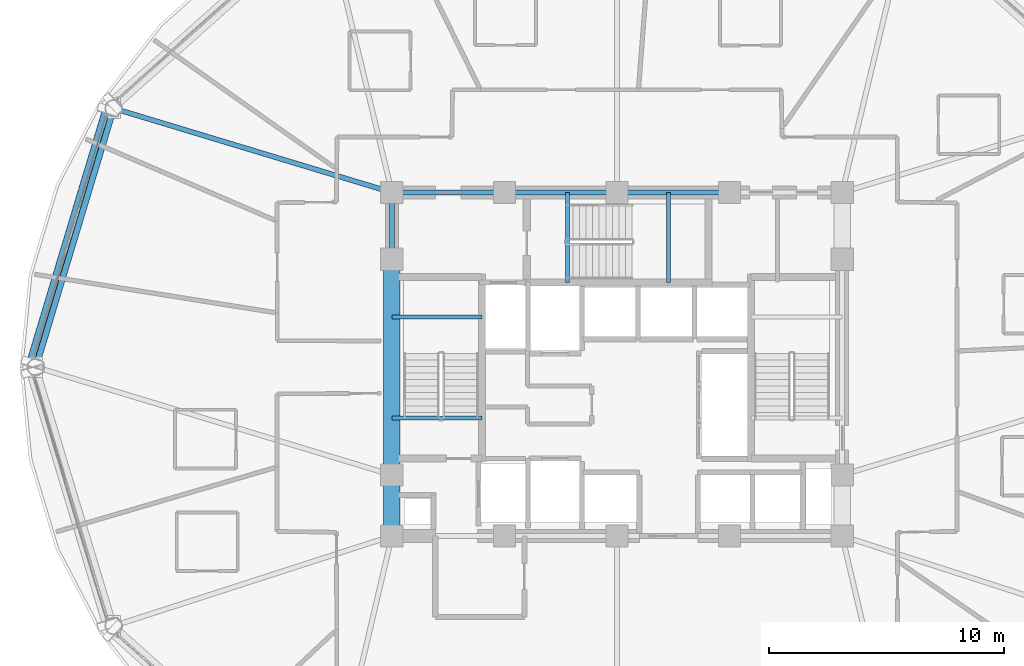
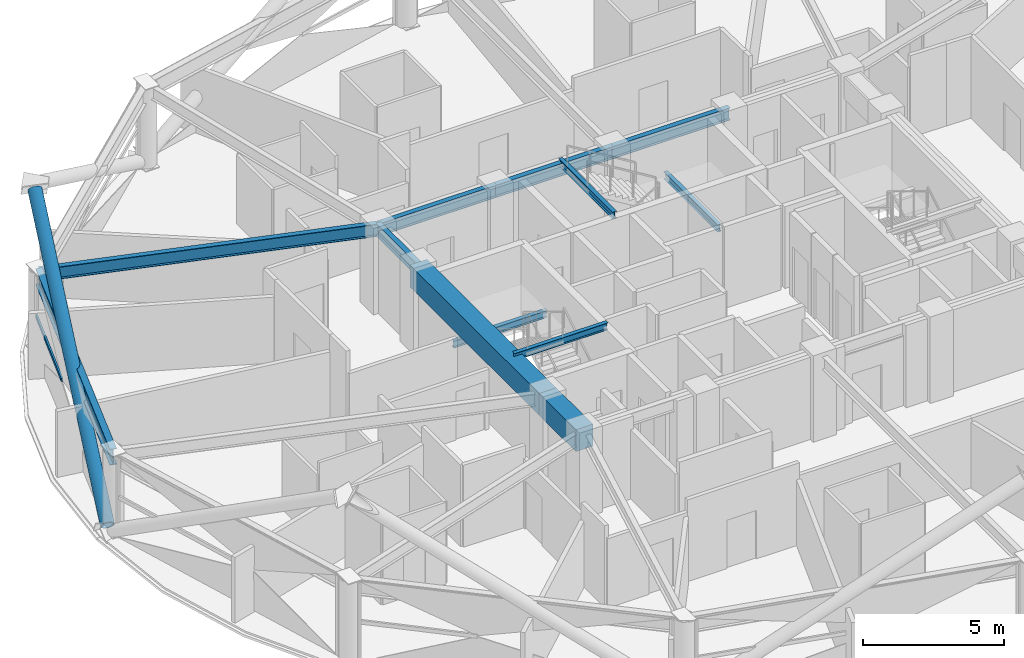
# One storey, part 7 of 29: 12 beams, 2 members, 1 element without a shape of its own.
"""IFC4 building model written with IfcOpenShell, lengths in metres."""

from ifc_helpers import new_model, si_unit, direction, frame, origin, origin_2d, place, context, subcontext, project, spatial, rectangle, hollow_rectangle, hollow_circle, i_section, extrude, material, layer, layer_set, material_profile, profile_set, type_object, element, aggregate, save


model = new_model("IFC4")

# Units and contexts
model_context = context("Model", 3, precision=1e-05, world=origin(), true_north=direction((0.0, 1.0)))
body_context = subcontext(model_context, "Body", "Model", "MODEL_VIEW")
ifc_project = project(units=[si_unit("LENGTHUNIT", "METRE"), si_unit("AREAUNIT", "SQUARE_METRE"), si_unit("VOLUMEUNIT", "CUBIC_METRE"), si_unit("PLANEANGLEUNIT", "RADIAN"), si_unit("MASSUNIT", "GRAM", prefix="KILO")], contexts=[model_context])

# Site, building, storey
site_placement = place(None, origin())
site = spatial("IfcSite", under=ifc_project, at=site_placement, CompositionType="ELEMENT")
building_placement = place(site_placement, origin())
building = spatial("IfcBuilding", under=site, at=building_placement, Name="Vantalir Tower", CompositionType="ELEMENT")
storey_placement = place(building_placement, frame((0.0, 0.0, 149.699951171875)))
storey = spatial("IfcBuildingStorey", under=building, at=storey_placement, Name="L37", CompositionType="ELEMENT", Elevation=149.699951171875)

# Beams
ifc_material_1 = material(Name="Concrete C60/75", Category="concrete")
ifc_material_profile_1 = material_profile(ifc_material_1, rectangle(XDim=0.699951171875, YDim=0.949951171875, at=origin_2d()), Name="Concrete C60/75")
ifc_profile_set_1 = profile_set([ifc_material_profile_1], Name="Concrete C60/75")
beam_type_1 = type_object("IfcBeamType", Name="BM-CB-700x950", PredefinedType="USERDEFINED", material=ifc_profile_set_1)
beam_1_placement = place(storey_placement, frame((21.89990234375, 29.60009765625, 3.094970703125), z_axis=(0.0, -1.0, 0.0), x_axis=(1.0, 0.0, 0.0)))
element("IfcBeam", 1, at=beam_1_placement, inside=storey, type_object=beam_type_1, Name="L37 Core Coupling Girder 13", ObjectType="GIRDER", PredefinedType="USERDEFINED", context=body_context, shape_type="SweptSolid", body=[
    extrude(rectangle(XDim=0.699951171875, YDim=0.949951171875, at=origin_2d()), origin(), (0.0, 0.0, 1.0), 9.2001953125),
])
beam_2_placement = place(storey_placement, frame((21.89990234375, 20.39990234375, 3.094970703125), z_axis=(0.0, -1.0, 0.0), x_axis=(1.0, 0.0, 0.0)))
element("IfcBeam", 2, at=beam_2_placement, inside=storey, type_object=beam_type_1, Name="L37 Core Coupling Girder 14", ObjectType="GIRDER", PredefinedType="USERDEFINED", context=body_context, shape_type="SweptSolid", body=[
    extrude(rectangle(XDim=0.699951171875, YDim=0.949951171875, at=origin_2d()), origin(), (0.0, 0.0, 1.0), 2.599853515625),
])
ifc_material_2 = material(Name="Steel S355", Category="steel")
ifc_material_profile_2 = material_profile(ifc_material_2, i_section(OverallWidth=0.166015625, OverallDepth=0.306884765625, WebThickness=0.006591796875, FlangeThickness=0.01171875, at=origin_2d()), Name="Steel S355")
ifc_profile_set_2 = profile_set([ifc_material_profile_2], Name="Steel S355")
beam_type_2 = type_object("IfcBeamType", Name="BM-JS-305x165", PredefinedType="JOIST", material=ifc_profile_set_2)
for number, where, z_axis, x_axis, name in (
    (3, (21.89990234375, 22.8349609375, 3.595947265625), (1.0, 0.0, 0.0), (0.0, 1.0, 0.0), "L38 Stair ST1 Well Nosing Trimmer Beam"),
    (4, (21.89990234375, 27.14501953125, 1.52197265625), (1.0, 0.0, 0.0), (0.0, 1.0, 0.0), "L37 Stair ST1 Half-Landing Support Beam"),
):
    element("IfcBeam", number, at=place(storey_placement, frame(where, z_axis=z_axis, x_axis=x_axis)), inside=storey, type_object=beam_type_2, Name=name, PredefinedType="JOIST", context=body_context, shape_type="SweptSolid", body=[
        extrude(i_section(OverallWidth=0.166015625, OverallDepth=0.306884765625, WebThickness=0.006591796875, FlangeThickness=0.01171875, at=origin_2d()), origin(), (0.0, 0.0, 1.0), 3.840087890625),
    ])
for number, where, z_axis, x_axis, name in (
    (5, (29.385009765625, 28.60009765625, 3.595947265625), (0.0, 1.0, 0.0), (-1.0, 0.0, 0.0), "L38 Stair ST3 Well Nosing Trimmer Beam"),
    (6, (33.695068359375, 28.60009765625, 1.52197265625), (0.0, 1.0, 0.0), (-1.0, 0.0, 0.0), "L37 Stair ST3 Half-Landing Support Beam"),
):
    element("IfcBeam", number, at=place(storey_placement, frame(where, z_axis=z_axis, x_axis=x_axis)), inside=storey, type_object=beam_type_2, Name=name, PredefinedType="JOIST", context=body_context, shape_type="SweptSolid", body=[
        extrude(i_section(OverallWidth=0.166015625, OverallDepth=0.306884765625, WebThickness=0.006591796875, FlangeThickness=0.01171875, at=origin_2d()), origin(), (0.0, 0.0, 1.0), 3.849853515625),
    ])
ifc_material_profile_3 = material_profile(ifc_material_2, i_section(OverallWidth=0.2109375, OverallDepth=0.5390625, WebThickness=0.01171875, FlangeThickness=0.018798828125, at=origin_2d()), Name="Steel S355")
ifc_profile_set_3 = profile_set([ifc_material_profile_3], Name="Steel S355")
beam_type_3 = type_object("IfcBeamType", Name="BM-RB-533x210", PredefinedType="BEAM", material=ifc_profile_set_3)
for number, where, z_axis, x_axis, name in (
    (7, (36.300048828125, 32.449951171875, 3.301025390625), (-1.0, 0.0, 0.0), (0.0, -1.0, 0.0), "L37 Core Coupling Girder 09"),
    (8, (31.5, 32.449951171875, 3.301025390625), (-1.0, 0.0, 0.0), (0.0, -1.0, 0.0), "L37 Core Coupling Girder 10"),
    (9, (26.699951171875, 32.449951171875, 3.301025390625), (-1.0, 0.0, 0.0), (0.0, -1.0, 0.0), "L37 Core Coupling Girder 11"),
):
    element("IfcBeam", number, at=place(storey_placement, frame(where, z_axis=z_axis, x_axis=x_axis)), inside=storey, type_object=beam_type_3, Name=name, PredefinedType="BEAM", context=body_context, shape_type="SweptSolid", body=[
        extrude(i_section(OverallWidth=0.2109375, OverallDepth=0.5390625, WebThickness=0.01171875, FlangeThickness=0.018798828125, at=origin_2d()), origin(), (0.0, 0.0, 1.0), 4.800048828125),
    ])
beam_3_placement = place(storey_placement, frame((21.89990234375, 32.449951171875, 3.301025390625), z_axis=(0.0, -1.0, 0.0), x_axis=(1.0, 0.0, 0.0)))
element("IfcBeam", 10, at=beam_3_placement, inside=storey, type_object=beam_type_3, Name="L37 Core Coupling Girder 12", PredefinedType="BEAM", context=body_context, shape_type="SweptSolid", body=[
    extrude(i_section(OverallWidth=0.2109375, OverallDepth=0.5390625, WebThickness=0.01171875, FlangeThickness=0.018798828125, at=origin_2d()), origin(), (0.0, 0.0, 1.0), 2.849853515625),
])
beam_4_placement = place(storey_placement, frame((10.037109375, 36.033935546875, 3.301025390625), z_axis=(0.957265983096, -0.289208986043, 0.0), x_axis=(0.289208986043, 0.957265983096, 0.0)))
element("IfcBeam", 11, at=beam_4_placement, inside=storey, type_object=beam_type_3, Name="L37 Radial Floor Beam 06", PredefinedType="BEAM", context=body_context, shape_type="SweptSolid", body=[
    extrude(i_section(OverallWidth=0.2109375, OverallDepth=0.5390625, WebThickness=0.01171875, FlangeThickness=0.018798828125, at=origin_2d()), origin(), (0.0, 0.0, 1.0), 12.392333984375),
])
ifc_material_3 = material(Name="Steel S460", Category="steel")
ifc_material_profile_4 = material_profile(ifc_material_3, i_section(OverallWidth=0.256103515625, OverallDepth=0.693115234375, WebThickness=0.014404296875, FlangeThickness=0.023681640625, at=origin_2d()), Name="Steel S460")
ifc_profile_set_4 = profile_set([ifc_material_profile_4], Name="Steel S460")
beam_type_4 = type_object("IfcBeamType", Name="BM-RG-686x254", PredefinedType="USERDEFINED", material=ifc_profile_set_4)
beam_5_placement = place(storey_placement, frame((10.037109375, 36.033935546875, 3.22412109375), z_axis=(-0.288135047515, -0.957589783986, 0.0), x_axis=(0.957589783986, -0.288135047515, 0.0)))
element("IfcBeam", 12, at=beam_5_placement, inside=storey, type_object=beam_type_4, Name="L37 Circumferential Ring Girder 06", ObjectType="GIRDER", PredefinedType="USERDEFINED", context=body_context, shape_type="SweptSolid", body=[
    extrude(i_section(OverallWidth=0.256103515625, OverallDepth=0.693115234375, WebThickness=0.014404296875, FlangeThickness=0.023681640625, at=origin_2d()), origin(), (0.0, 0.0, 1.0), 11.522705078125),
])

# Curtain wall, member
ifc_material_4 = material(Name="Champagne-silver PVDF aluminium and double-silver Low-E glass", Category="aluminium")
ifc_layer = layer(ifc_material_4, 0.199951171875)
ifc_layer_set = layer_set([ifc_layer], Name="Champagne-silver PVDF aluminium and double-silver Low-E glass")
curtain_wall_type = type_object("IfcCurtainWallType", Name="CW-DIAMOND-Z2", PredefinedType="USERDEFINED", material=ifc_layer_set)
curtain_wall_placement = place(storey_placement, origin())
curtain_wall = element("IfcCurtainWall", 13, at=curtain_wall_placement, inside=storey, type_object=curtain_wall_type, Name="L37 Quilted Pyramid-Diamond Curtain Wall S06", ObjectType="UNITISED CURTAIN WALL", PredefinedType="USERDEFINED")
ifc_material_5 = material(Name="Champagne-silver PVDF aluminium 6063-T6", Category="aluminium")
ifc_material_profile_5 = material_profile(ifc_material_5, hollow_rectangle(XDim=0.074951171875, YDim=0.159912109375, WallThickness=0.00390625, at=origin_2d()), Name="Champagne-silver PVDF aluminium 6063-T6")
ifc_profile_set_5 = profile_set([ifc_material_profile_5], Name="Champagne-silver PVDF aluminium 6063-T6")
member_type_1 = type_object("IfcMemberType", Name="CWT-160x75", PredefinedType="USERDEFINED", material=ifc_profile_set_5)
member_1_placement = place(storey_placement, frame((9.74609375, 35.7080078125, 1.78515625), z_axis=(-0.293493177242, -0.955961168099, 0.0), x_axis=(0.955961168099, -0.293493177242, 0.0)))
member_1 = element("IfcMember", 14, at=member_1_placement, type_object=member_type_1, Name="CW-L37-S06 Pyramid Fold Ridge Transom", ObjectType="TRANSOM", PredefinedType="USERDEFINED", context=body_context, shape_type="SweptSolid", body=[
    extrude(hollow_rectangle(XDim=0.074951171875, YDim=0.159912109375, WallThickness=0.00390625, at=origin_2d()), origin(), (0.0, 0.0, 1.0), 4.081787109375),
])
aggregate(curtain_wall, [member_1])

# Member
ifc_material_profile_6 = material_profile(ifc_material_3, hollow_circle(Radius=0.260009765625, WallThickness=0.0380859375, at=origin_2d()), Name="Steel S460")
ifc_profile_set_6 = profile_set([ifc_material_profile_6], Name="Steel S460")
member_type_2 = type_object("IfcMemberType", Name="MEM-DB-520x38", PredefinedType="BRACE", material=ifc_profile_set_6)
member_2_placement = place(storey_placement, frame((6.5810546875, 25.178955078125, 0.195068359375), z_axis=(0.245106735484, 0.815322246556, 0.524568701403), x_axis=(-0.957661235387, 0.287897478692, 0.0)))
element("IfcMember", 15, at=member_2_placement, inside=storey, type_object=member_type_2, Name="L37 Perimeter S460 Diagrid Brace R19R", PredefinedType="BRACE", context=body_context, shape_type="SweptSolid", body=[
    extrude(hollow_circle(Radius=0.260009765625, WallThickness=0.0380859375, at=origin_2d()), origin(), (0.0, 0.0, 1.0), 13.210693359375),
])

save(model, "model.ifc")
